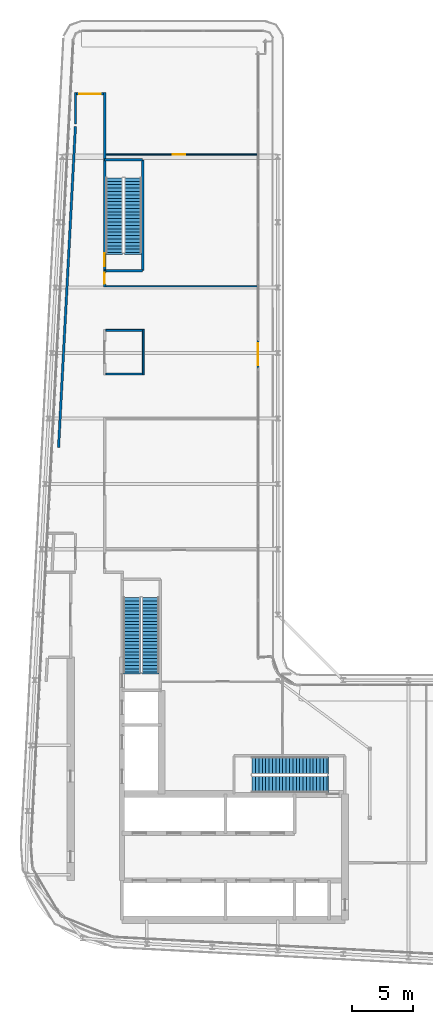
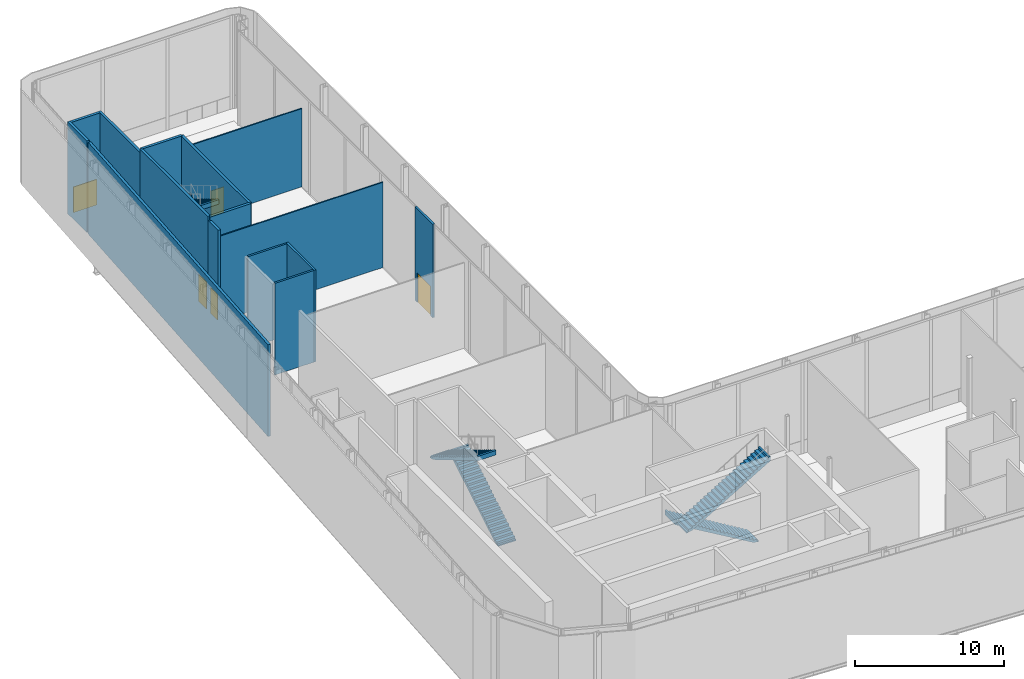
# One storey, part 22 of 27: 15 walls, 6 stair flights, 5 doors, 5 openings, 3 elements without a shape of their own.
"""IFC4 building model written with IfcOpenShell, lengths in metres."""

from ifc_helpers import new_model, si_unit, direction, frame, frame_2d, origin, place, context, subcontext, project, spatial, polyline, rectangle, outline, extrude, source, transform, mapped, material, layer, layer_set, type_object, element, fill, aggregate, save


model = new_model("IFC4")

# Units and contexts
model_context = context("Model", 3, precision=1e-05, world=origin(), true_north=direction((0.0, 1.0)))
body_context = subcontext(model_context, "Body", "Model", "MODEL_VIEW")
ifc_project = project(units=[si_unit("LENGTHUNIT", "METRE"), si_unit("AREAUNIT", "SQUARE_METRE"), si_unit("VOLUMEUNIT", "CUBIC_METRE"), si_unit("PLANEANGLEUNIT", "RADIAN"), si_unit("MASSUNIT", "GRAM", prefix="KILO")], contexts=[model_context])

# Site, building, storey
site_placement = place(None, origin())
site = spatial("IfcSite", under=ifc_project, at=site_placement, CompositionType="ELEMENT")
building_placement = place(site_placement, origin())
building = spatial("IfcBuilding", under=site, at=building_placement, Name="Kheshtan School and Residences Tower", CompositionType="ELEMENT")
storey_placement = place(building_placement, frame((0.0, 0.0, 266.89990234375)))
storey = spatial("IfcBuildingStorey", under=building, at=storey_placement, Name="L63", CompositionType="ELEMENT", Elevation=266.89990234375)

# Walls
ifc_material_1 = material(Name="Gypsum board on steel studs with fire boards", Category="steel")
ifc_layer_1 = layer(ifc_material_1, 0.199951171875)
ifc_layer_set_1 = layer_set([ifc_layer_1], Name="Corridor wall 200")
wall_type_1 = type_object("IfcWallType", Name="Corridor wall 200", PredefinedType="PARTITIONING", material=ifc_layer_set_1)
wall_1_placement = place(storey_placement, frame((29.5009765625, 64.800048828125, 0.0), z_axis=(0.0, 0.0, 1.0), x_axis=(0.052619165502, 0.998614652117, 0.0)))
element("IfcWall", 1, at=wall_1_placement, inside=storey, type_object=wall_type_1, Name="Partition L63-005", PredefinedType="PARTITIONING", context=body_context, shape_type="SweptSolid", body=[
    extrude(rectangle(XDim=26.548828125, YDim=0.199951171875, at=frame_2d((13.2744140625, 0.0))), origin(), (0.0, 0.0, 1.0), 7.5),
])
wall_2_placement = place(storey_placement, frame((30.89990234375, 91.511962890625, 0.0), z_axis=(0.0, 0.0, 1.0), x_axis=(0.0, 1.0, 0.0)))
element("IfcWall", 2, at=wall_2_placement, inside=storey, type_object=wall_type_1, Name="Partition L63-007", PredefinedType="PARTITIONING", context=body_context, shape_type="SweptSolid", body=[
    extrude(rectangle(XDim=2.588134765625, YDim=0.199951171875, at=frame_2d((1.2939453125, 0.0))), origin(), (0.0, 0.0, 1.0), 7.5),
])

# Wall, opening, door
wall_3_placement = place(storey_placement, frame((31.0, 94.0, 0.0), z_axis=(0.0, 0.0, 1.0), x_axis=(1.0, 0.0, 0.0)))
wall_3 = element("IfcWall", 3, at=wall_3_placement, inside=storey, type_object=wall_type_1, Name="Partition L63-008", PredefinedType="PARTITIONING", context=body_context, shape_type="SweptSolid", body=[
    extrude(rectangle(XDim=2.199951171875, YDim=0.199951171875, at=frame_2d((1.10009765625, 0.0))), origin(), (0.0, 0.0, 1.0), 7.5),
])
opening_1_placement = place(wall_3_placement, frame((0.197998046875, 0.0, 0.0)))
opening_1 = element("IfcOpeningElement", 4, at=opening_1_placement, cuts=wall_3, Name="Opening D63-010", PredefinedType="OPENING", context=body_context, shape_type="SweptSolid", body=[
    extrude(rectangle(XDim=1.800048828125, YDim=2.10009765625, at=frame_2d((0.89990234375, 1.050048828125))), frame((0.0, 0.10986328125, 0.0), z_axis=(0.0, -1.0, 0.0), x_axis=(1.0, 0.0, 0.0)), (0.0, 0.0, 1.0), 0.219970703125),
])
ifc_material_2 = material(Name="Steel-framed fire-resisting door leaf", Category="steel")
door_type_1 = type_object("IfcDoorType", Name="Fire double door FD60 1800 x 2100", OperationType="DOUBLE_DOOR_SINGLE_SWING", PredefinedType="DOOR", material=ifc_material_2)
shared_shape_1 = source(origin(), body_context, "Body", "SweptSolid", [
    extrude(rectangle(XDim=1.800048828125, YDim=2.10009765625, at=frame_2d((0.89990234375, 1.050048828125))), frame((0.0, 0.02490234375, 0.0), z_axis=(0.0, -1.0, 0.0), x_axis=(1.0, 0.0, 0.0)), (0.0, 0.0, 1.0), 0.050048828125),
])
door_1_placement = place(opening_1_placement, origin())
door_1 = element("IfcDoor", 5, at=door_1_placement, inside=storey, type_object=door_type_1, Name="Door D63-010", OperationType="DOUBLE_DOOR_SINGLE_SWING", OverallHeight=2.10009765625, OverallWidth=1.800048828125, PredefinedType="DOOR", context=body_context, shape_type="MappedRepresentation", body=[
    mapped(shared_shape_1, transform((0.0, 0.0, 0.0), x_axis=(1.0, 0.0, 0.0), y_axis=(0.0, 1.0, 0.0), z_axis=(0.0, 0.0, 1.0), scale=1.0)),
])
fill(opening_1, door_1)

wall_4_placement = place(storey_placement, frame((33.300048828125, 78.06201171875, 0.0), z_axis=(0.0, 0.0, 1.0), x_axis=(0.0, 1.0, 0.0)))
wall_4 = element("IfcWall", 6, at=wall_4_placement, inside=storey, type_object=wall_type_1, Name="Partition L63-011", PredefinedType="PARTITIONING", context=body_context, shape_type="SweptSolid", body=[
    extrude(rectangle(XDim=1.337890625, YDim=0.199951171875, at=frame_2d((0.6689453125, 0.0))), origin(), (0.0, 0.0, 1.0), 7.5),
])
opening_2_placement = place(wall_4_placement, frame((0.25, 0.0, 0.0)))
opening_2 = element("IfcOpeningElement", 7, at=opening_2_placement, cuts=wall_4, Name="Opening D63-012", PredefinedType="OPENING", context=body_context, shape_type="SweptSolid", body=[
    extrude(rectangle(XDim=0.89990234375, YDim=2.10009765625, at=frame_2d((0.449951171875, 1.050048828125))), frame((0.0, 0.10986328125, 0.0), z_axis=(0.0, -1.0, 0.0), x_axis=(1.0, 0.0, 0.0)), (0.0, 0.0, 1.0), 0.219970703125),
])
door_type_2 = type_object("IfcDoorType", Name="Fire door FD60 900 x 2100", OperationType="SINGLE_SWING_LEFT", PredefinedType="DOOR", material=ifc_material_2)
shared_shape_2 = source(origin(), body_context, "Body", "SweptSolid", [
    extrude(rectangle(XDim=0.89990234375, YDim=2.10009765625, at=frame_2d((0.449951171875, 1.050048828125))), frame((0.0, 0.02490234375, 0.0), z_axis=(0.0, -1.0, 0.0), x_axis=(1.0, 0.0, 0.0)), (0.0, 0.0, 1.0), 0.050048828125),
])
door_2_placement = place(opening_2_placement, origin())
door_2 = element("IfcDoor", 8, at=door_2_placement, inside=storey, type_object=door_type_2, Name="Door D63-012", OperationType="SINGLE_SWING_LEFT", OverallHeight=2.10009765625, OverallWidth=0.89990234375, PredefinedType="DOOR", context=body_context, shape_type="MappedRepresentation", body=[
    mapped(shared_shape_2, transform((0.0, 0.0, 0.0), x_axis=(1.0, 0.0, 0.0), y_axis=(0.0, 1.0, 0.0), z_axis=(0.0, 0.0, 1.0), scale=1.0)),
])
fill(opening_2, door_2)

# Wall
wall_5_placement = place(storey_placement, frame((33.300048828125, 88.56005859375, 0.0), z_axis=(0.0, 0.0, 1.0), x_axis=(0.0, 1.0, 0.0)))
element("IfcWall", 9, at=wall_5_placement, inside=storey, type_object=wall_type_1, Name="Partition L63-012", PredefinedType="PARTITIONING", context=body_context, shape_type="SweptSolid", body=[
    extrude(rectangle(XDim=5.5400390625, YDim=0.199951171875, at=frame_2d((2.77001953125, 0.0))), origin(), (0.0, 0.0, 1.0), 7.5),
])

# Wall, opening, door
ifc_material_3 = material(Name="Aluminium frame wall with insulated infill", Category="aluminium")
ifc_layer_2 = layer(ifc_material_3, 0.14990234375)
ifc_layer_set_2 = layer_set([ifc_layer_2], Name="Glazing frame wall 150")
wall_type_2 = type_object("IfcWallType", Name="Glazing frame wall 150", PredefinedType="SOLIDWALL", material=ifc_layer_set_2)
wall_6_placement = place(storey_placement, frame((45.97509765625, 73.699951171875, 0.0), z_axis=(0.0, 0.0, 1.0), x_axis=(0.0, -1.0, 0.0)))
wall_6 = element("IfcWall", 10, at=wall_6_placement, inside=storey, type_object=wall_type_2, Name="Terrace door wall L63 19", PredefinedType="SOLIDWALL", context=body_context, shape_type="SweptSolid", body=[
    extrude(rectangle(XDim=2.39990234375, YDim=0.14990234375, at=frame_2d((1.199951171875, 0.0))), origin(), (0.0, 0.0, 1.0), 7.650146484375),
])
opening_3_placement = place(wall_6_placement, frame((0.300048828125, 0.0, 0.0)))
opening_3 = element("IfcOpeningElement", 11, at=opening_3_placement, cuts=wall_6, Name="Opening BD", PredefinedType="OPENING", context=body_context, shape_type="SweptSolid", body=[
    extrude(rectangle(XDim=1.800048828125, YDim=2.39990234375, at=frame_2d((0.89990234375, 1.199951171875))), frame((0.0, 0.0849609375, 0.0), z_axis=(0.0, -1.0, 0.0), x_axis=(1.0, 0.0, 0.0)), (0.0, 0.0, 1.0), 0.169921875),
])
ifc_material_4 = material(Name="Clear low-e glass in thermally broken aluminium frame", Category="aluminium")
door_type_3 = type_object("IfcDoorType", Name="Balcony sliding door", OperationType="SLIDING_TO_LEFT", PredefinedType="DOOR", material=ifc_material_4)
shared_shape_3 = source(origin(), body_context, "Body", "SweptSolid", [
    extrude(rectangle(XDim=1.800048828125, YDim=2.39990234375, at=frame_2d((0.89990234375, 1.199951171875))), frame((0.0, 0.02490234375, 0.0), z_axis=(0.0, -1.0, 0.0), x_axis=(1.0, 0.0, 0.0)), (0.0, 0.0, 1.0), 0.050048828125),
])
door_3_placement = place(opening_3_placement, origin())
door_3 = element("IfcDoor", 12, at=door_3_placement, inside=storey, type_object=door_type_3, Name="Terrace door L63 19", OperationType="SLIDING_TO_LEFT", OverallHeight=2.39990234375, OverallWidth=1.800048828125, PredefinedType="DOOR", context=body_context, shape_type="MappedRepresentation", body=[
    mapped(shared_shape_3, transform((0.0, 0.0, 0.0), x_axis=(1.0, 0.0, 0.0), y_axis=(0.0, 1.0, 0.0), z_axis=(0.0, 0.0, 1.0), scale=1.0)),
])
fill(opening_3, door_3)

# Wall
ifc_material_5 = material(Name="Gypsum board on steel studs", Category="steel")
ifc_layer_3 = layer(ifc_material_5, 0.10009765625)
ifc_layer_set_3 = layer_set([ifc_layer_3], Name="Gypsum partition 100")
wall_type_3 = type_object("IfcWallType", Name="Gypsum partition 100", PredefinedType="PARTITIONING", material=ifc_layer_set_3)
wall_7_placement = place(storey_placement, frame((33.39990234375, 78.112060546875, 0.0), z_axis=(0.0, 0.0, 1.0), x_axis=(1.0, 0.0, 0.0)))
element("IfcWall", 13, at=wall_7_placement, inside=storey, type_object=wall_type_3, Name="Partition L63-018", PredefinedType="PARTITIONING", context=body_context, shape_type="SweptSolid", body=[
    extrude(rectangle(XDim=12.570068359375, YDim=0.10009765625, at=frame_2d((6.28515625, 0.0))), origin(), (0.0, 0.0, 1.0), 6.97216796875),
])

# Wall, opening, door
wall_8_placement = place(storey_placement, frame((33.39990234375, 88.990966796875, 0.0), z_axis=(0.0, 0.0, 1.0), x_axis=(1.0, 0.0, 0.0)))
wall_8 = element("IfcWall", 14, at=wall_8_placement, inside=storey, type_object=wall_type_3, Name="Partition L63-019", PredefinedType="PARTITIONING", context=body_context, shape_type="SweptSolid", body=[
    extrude(rectangle(XDim=12.570068359375, YDim=0.10009765625, at=frame_2d((6.28515625, 0.0))), origin(), (0.0, 0.0, 1.0), 6.400146484375),
])
opening_4_placement = place(wall_8_placement, frame((5.550048828125, 0.0, 0.0)))
opening_4 = element("IfcOpeningElement", 15, at=opening_4_placement, cuts=wall_8, Name="Opening D63-011", PredefinedType="OPENING", context=body_context, shape_type="SweptSolid", body=[
    extrude(rectangle(XDim=1.0, YDim=2.10009765625, at=frame_2d((0.5, 1.050048828125))), frame((0.0, 0.06005859375, 0.0), z_axis=(0.0, -1.0, 0.0), x_axis=(1.0, 0.0, 0.0)), (0.0, 0.0, 1.0), 0.1201171875),
])
ifc_material_6 = material(Name="Veneered timber door leaf", Category="wood")
door_type_4 = type_object("IfcDoorType", Name="Door 1000 x 2100", OperationType="SINGLE_SWING_LEFT", PredefinedType="DOOR", material=ifc_material_6)
shared_shape_4 = source(origin(), body_context, "Body", "SweptSolid", [
    extrude(rectangle(XDim=1.0, YDim=2.10009765625, at=frame_2d((0.5, 1.050048828125))), frame((0.0, 0.02490234375, 0.0), z_axis=(0.0, -1.0, 0.0), x_axis=(1.0, 0.0, 0.0)), (0.0, 0.0, 1.0), 0.050048828125),
])
door_4_placement = place(opening_4_placement, origin())
door_4 = element("IfcDoor", 16, at=door_4_placement, inside=storey, type_object=door_type_4, Name="Door D63-011", OperationType="SINGLE_SWING_LEFT", OverallHeight=2.10009765625, OverallWidth=1.0, PredefinedType="DOOR", context=body_context, shape_type="MappedRepresentation", body=[
    mapped(shared_shape_4, transform((0.0, 0.0, 0.0), x_axis=(1.0, 0.0, 0.0), y_axis=(0.0, 1.0, 0.0), z_axis=(0.0, 0.0, 1.0), scale=1.0)),
])
fill(opening_4, door_4)

# Walls
ifc_material_7 = material(Name="Concrete C40/50", Category="concrete")
ifc_layer_4 = layer(ifc_material_7, 0.199951171875)
ifc_layer_set_4 = layer_set([ifc_layer_4], Name="Stair enclosure wall 200 Concrete C40/50")
wall_type_4 = type_object("IfcWallType", Name="Stair enclosure wall 200 Concrete C40/50", PredefinedType="SHEAR", material=ifc_layer_set_4)
for number, where, z_axis, x_axis, name in (
    (17, (33.300048828125, 79.39990234375, 0.0), (0.0, 0.0, 1.0), (1.0, 0.0, 0.0), "Stair enclosure wall ST3"),
    (18, (33.300048828125, 88.56005859375, 0.0), (0.0, 0.0, 1.0), (1.0, 0.0, 0.0), "Stair enclosure wall ST3"),
):
    element("IfcWall", number, at=place(storey_placement, frame(where, z_axis=z_axis, x_axis=x_axis)), inside=storey, type_object=wall_type_4, Name=name, PredefinedType="SHEAR", context=body_context, shape_type="SweptSolid", body=[
        extrude(rectangle(XDim=3.14990234375, YDim=0.199951171875, at=frame_2d((1.574951171875, 0.0))), origin(), (0.0, 0.0, 1.0), 7.800048828125),
    ])

# Wall, opening, door
wall_9_placement = place(storey_placement, frame((33.300048828125, 79.39990234375, 0.0), z_axis=(0.0, 0.0, 1.0), x_axis=(0.0, 1.0, 0.0)))
wall_9 = element("IfcWall", 19, at=wall_9_placement, inside=storey, type_object=wall_type_4, Name="Stair enclosure wall ST3", PredefinedType="SHEAR", context=body_context, shape_type="SweptSolid", body=[
    extrude(rectangle(XDim=9.16015625, YDim=0.199951171875, at=frame_2d((4.580078125, 0.0))), origin(), (0.0, 0.0, 1.0), 7.800048828125),
])
opening_5_placement = place(wall_9_placement, frame((0.35009765625, 0.0, 0.0)))
opening_5 = element("IfcOpeningElement", 20, at=opening_5_placement, cuts=wall_9, Name="Opening ST3D", PredefinedType="OPENING", context=body_context, shape_type="SweptSolid", body=[
    extrude(rectangle(XDim=1.10009765625, YDim=2.199951171875, at=frame_2d((0.550048828125, 1.10009765625))), frame((0.0, 0.10986328125, 0.0), z_axis=(0.0, -1.0, 0.0), x_axis=(1.0, 0.0, 0.0)), (0.0, 0.0, 1.0), 0.219970703125),
])
ifc_material_8 = material(Name="Steel door leaf, galvanised", Category="steel")
door_type_5 = type_object("IfcDoorType", Name="Stair door 1100 steel 90 min", OperationType="SINGLE_SWING_LEFT", PredefinedType="DOOR", material=ifc_material_8)
shared_shape_5 = source(origin(), body_context, "Body", "SweptSolid", [
    extrude(rectangle(XDim=1.10009765625, YDim=2.199951171875, at=frame_2d((0.550048828125, 1.10009765625))), frame((0.0, 0.02490234375, 0.0), z_axis=(0.0, -1.0, 0.0), x_axis=(1.0, 0.0, 0.0)), (0.0, 0.0, 1.0), 0.050048828125),
])
door_5_placement = place(opening_5_placement, origin())
door_5 = element("IfcDoor", 21, at=door_5_placement, inside=storey, type_object=door_type_5, Name="Stair ST3 door", OperationType="SINGLE_SWING_RIGHT", OverallHeight=2.199951171875, OverallWidth=1.10009765625, PredefinedType="DOOR", context=body_context, shape_type="MappedRepresentation", body=[
    mapped(shared_shape_5, transform((0.0, 0.0, 0.0), x_axis=(1.0, 0.0, 0.0), y_axis=(0.0, 1.0, 0.0), z_axis=(0.0, 0.0, 1.0), scale=1.0)),
])
fill(opening_5, door_5)

# Walls
wall_10_placement = place(storey_placement, frame((36.449951171875, 79.39990234375, 0.0), z_axis=(0.0, 0.0, 1.0), x_axis=(0.0, 1.0, 0.0)))
element("IfcWall", 22, at=wall_10_placement, inside=storey, type_object=wall_type_4, Name="Stair enclosure wall ST3", PredefinedType="SHEAR", context=body_context, shape_type="SweptSolid", body=[
    extrude(rectangle(XDim=9.16015625, YDim=0.199951171875, at=frame_2d((4.580078125, 0.0))), origin(), (0.0, 0.0, 1.0), 7.800048828125),
])
ifc_material_9 = material(Name="Moisture-resistant gypsum board on steel studs", Category="steel")
ifc_layer_5 = layer(ifc_material_9, 0.14990234375)
ifc_layer_set_5 = layer_set([ifc_layer_5], Name="Wet-room partition 150")
wall_type_5 = type_object("IfcWallType", Name="Wet-room partition 150", PredefinedType="PARTITIONING", material=ifc_layer_set_5)
for number, where, z_axis, x_axis, name in (
    (23, (33.39990234375, 70.8720703125, 0.0), (0.0, 0.0, 1.0), (1.0, 0.0, 0.0), "Partition L63-016"),
    (24, (33.39990234375, 74.471923828125, 0.0), (0.0, 0.0, 1.0), (1.0, 0.0, 0.0), "Partition L63-017"),
):
    element("IfcWall", number, at=place(storey_placement, frame(where, z_axis=z_axis, x_axis=x_axis)), inside=storey, type_object=wall_type_5, Name=name, PredefinedType="PARTITIONING", context=body_context, shape_type="SweptSolid", body=[
        extrude(rectangle(XDim=3.025146484375, YDim=0.14990234375, at=frame_2d((1.5126953125, 0.0))), origin(), (0.0, 0.0, 1.0), 7.5),
    ])
wall_11_placement = place(storey_placement, frame((36.5, 70.797119140625, 0.0), z_axis=(0.0, 0.0, 1.0), x_axis=(0.0, 1.0, 0.0)))
element("IfcWall", 25, at=wall_11_placement, inside=storey, type_object=wall_type_5, Name="Partition L63-021", PredefinedType="PARTITIONING", context=body_context, shape_type="SweptSolid", body=[
    extrude(rectangle(XDim=3.75, YDim=0.14990234375, at=frame_2d((1.875, 0.0))), origin(), (0.0, 0.0, 1.0), 7.5),
])

# Stair, stair flights
stair_type = type_object("IfcStairType", Name="Exit stair, half-turn", PredefinedType="HALF_TURN_STAIR", material=ifc_material_7)
stair_1_placement = place(storey_placement, origin())
stair_1 = element("IfcStair", 26, at=stair_1_placement, inside=storey, type_object=stair_type, Name="L63 Protected Exit Stair ST1", PredefinedType="HALF_TURN_STAIR")
ifc_layer_6 = layer(ifc_material_7, 0.14990234375)
ifc_layer_set_6 = layer_set([ifc_layer_6], Name="Stair flight 1400 Concrete C40/50")
stair_flight_type = type_object("IfcStairFlightType", Name="Stair flight 1400 Concrete C40/50", PredefinedType="STRAIGHT", material=ifc_layer_set_6)
stair_flight_1_placement = place(storey_placement, frame((51.64990234375, 38.550048828125, 0.0), z_axis=(0.0, 0.0, 1.0), x_axis=(-1.0, 0.0, 0.0)))
stair_flight_1 = element("IfcStairFlight", 27, at=stair_flight_1_placement, type_object=stair_flight_type, Name="ST1 flight 1", NumberOfRisers=23, NumberOfTreads=22, PredefinedType="STRAIGHT", RiserHeight=0.169565217, TreadLength=0.28, context=body_context, shape_type="SweptSolid", body=[
    extrude(outline(polyline([(-0.14990234375, -0.10009765625), (-0.14990234375, 0.0), (0.0, 0.0), (0.0, 0.169677734375), (0.280029296875, 0.169677734375), (0.280029296875, 0.339111328125), (0.56005859375, 0.339111328125), (0.56005859375, 0.5087890625), (0.840087890625, 0.5087890625), (0.840087890625, 0.67822265625), (1.1201171875, 0.67822265625), (1.1201171875, 0.847900390625), (1.39990234375, 0.847900390625), (1.39990234375, 1.017333984375), (1.679931640625, 1.017333984375), (1.679931640625, 1.18701171875), (1.9599609375, 1.18701171875), (1.9599609375, 1.3564453125), (2.239990234375, 1.3564453125), (2.239990234375, 1.526123046875), (2.52001953125, 1.526123046875), (2.52001953125, 1.695556640625), (2.800048828125, 1.695556640625), (2.800048828125, 1.865234375), (3.080078125, 1.865234375), (3.080078125, 2.03466796875), (3.360107421875, 2.03466796875), (3.360107421875, 2.204345703125), (3.639892578125, 2.204345703125), (3.639892578125, 2.3740234375), (3.919921875, 2.3740234375), (3.919921875, 2.54345703125), (4.199951171875, 2.54345703125), (4.199951171875, 2.713134765625), (4.47998046875, 2.713134765625), (4.47998046875, 2.882568359375), (4.760009765625, 2.882568359375), (4.760009765625, 3.05224609375), (5.0400390625, 3.05224609375), (5.0400390625, 3.2216796875), (5.320068359375, 3.2216796875), (5.320068359375, 3.391357421875), (5.60009765625, 3.391357421875), (5.60009765625, 3.560791015625), (5.8798828125, 3.560791015625), (5.8798828125, 3.73046875), (6.159912109375, 3.73046875), (6.159912109375, 3.89990234375), (6.159912109375, 3.919921875), (6.309814453125, 3.919921875), (6.309814453125, 3.55517578125), (0.289306640625, 0.0), (-0.14990234375, -0.10009765625)])), frame((0.0, 0.699951171875, 0.0), z_axis=(0.0, -1.0, 0.0), x_axis=(1.0, 0.0, 0.0)), (0.0, 0.0, 1.0), 1.39990234375),
])
stair_flight_2_placement = place(storey_placement, frame((45.489990234375, 37.0, 3.900146484375), z_axis=(0.0, 0.0, 1.0), x_axis=(1.0, 0.0, 0.0)))
stair_flight_2 = element("IfcStairFlight", 28, at=stair_flight_2_placement, type_object=stair_flight_type, Name="ST1 flight 2", NumberOfRisers=23, NumberOfTreads=22, PredefinedType="STRAIGHT", RiserHeight=0.169565217, TreadLength=0.28, context=body_context, shape_type="SweptSolid", body=[
    extrude(outline(polyline([(-0.14990234375, -0.10009765625), (-0.14990234375, 0.0), (0.0, 0.0), (0.0, 0.169677734375), (0.280029296875, 0.169677734375), (0.280029296875, 0.339111328125), (0.56005859375, 0.339111328125), (0.56005859375, 0.5087890625), (0.840087890625, 0.5087890625), (0.840087890625, 0.67822265625), (1.1201171875, 0.67822265625), (1.1201171875, 0.847900390625), (1.39990234375, 0.847900390625), (1.39990234375, 1.017333984375), (1.679931640625, 1.017333984375), (1.679931640625, 1.18701171875), (1.9599609375, 1.18701171875), (1.9599609375, 1.3564453125), (2.239990234375, 1.3564453125), (2.239990234375, 1.526123046875), (2.52001953125, 1.526123046875), (2.52001953125, 1.695556640625), (2.800048828125, 1.695556640625), (2.800048828125, 1.865234375), (3.080078125, 1.865234375), (3.080078125, 2.03466796875), (3.360107421875, 2.03466796875), (3.360107421875, 2.204345703125), (3.639892578125, 2.204345703125), (3.639892578125, 2.3740234375), (3.919921875, 2.3740234375), (3.919921875, 2.54345703125), (4.199951171875, 2.54345703125), (4.199951171875, 2.713134765625), (4.47998046875, 2.713134765625), (4.47998046875, 2.882568359375), (4.760009765625, 2.882568359375), (4.760009765625, 3.05224609375), (5.0400390625, 3.05224609375), (5.0400390625, 3.2216796875), (5.320068359375, 3.2216796875), (5.320068359375, 3.391357421875), (5.60009765625, 3.391357421875), (5.60009765625, 3.560791015625), (5.8798828125, 3.560791015625), (5.8798828125, 3.73046875), (6.159912109375, 3.73046875), (6.159912109375, 3.89990234375), (6.159912109375, 3.919921875), (6.309814453125, 3.919921875), (6.309814453125, 3.55517578125), (0.289306640625, 0.0), (-0.14990234375, -0.10009765625)])), frame((0.0, 0.699951171875, 0.0), z_axis=(0.0, -1.0, 0.0), x_axis=(1.0, 0.0, 0.0)), (0.0, 0.0, 1.0), 1.39990234375),
])
aggregate(stair_1, [stair_flight_1, stair_flight_2])

stair_2_placement = place(storey_placement, origin())
stair_2 = element("IfcStair", 29, at=stair_2_placement, inside=storey, type_object=stair_type, Name="L63 Protected Exit Stair ST2", PredefinedType="HALF_TURN_STAIR")
stair_flight_3_placement = place(storey_placement, frame((37.10009765625, 46.25, 0.0), z_axis=(0.0, 0.0, 1.0), x_axis=(0.0, 1.0, 0.0)))
stair_flight_3 = element("IfcStairFlight", 30, at=stair_flight_3_placement, type_object=stair_flight_type, Name="ST2 flight 1", NumberOfRisers=23, NumberOfTreads=22, PredefinedType="STRAIGHT", RiserHeight=0.169565217, TreadLength=0.28, context=body_context, shape_type="SweptSolid", body=[
    extrude(outline(polyline([(-0.14990234375, -0.10009765625), (-0.14990234375, 0.0), (0.0, 0.0), (0.0, 0.169677734375), (0.280029296875, 0.169677734375), (0.280029296875, 0.339111328125), (0.56005859375, 0.339111328125), (0.56005859375, 0.5087890625), (0.840087890625, 0.5087890625), (0.840087890625, 0.67822265625), (1.1201171875, 0.67822265625), (1.1201171875, 0.847900390625), (1.39990234375, 0.847900390625), (1.39990234375, 1.017333984375), (1.679931640625, 1.017333984375), (1.679931640625, 1.18701171875), (1.9599609375, 1.18701171875), (1.9599609375, 1.3564453125), (2.239990234375, 1.3564453125), (2.239990234375, 1.526123046875), (2.52001953125, 1.526123046875), (2.52001953125, 1.695556640625), (2.800048828125, 1.695556640625), (2.800048828125, 1.865234375), (3.080078125, 1.865234375), (3.080078125, 2.03466796875), (3.360107421875, 2.03466796875), (3.360107421875, 2.204345703125), (3.639892578125, 2.204345703125), (3.639892578125, 2.3740234375), (3.919921875, 2.3740234375), (3.919921875, 2.54345703125), (4.199951171875, 2.54345703125), (4.199951171875, 2.713134765625), (4.47998046875, 2.713134765625), (4.47998046875, 2.882568359375), (4.760009765625, 2.882568359375), (4.760009765625, 3.05224609375), (5.0400390625, 3.05224609375), (5.0400390625, 3.2216796875), (5.320068359375, 3.2216796875), (5.320068359375, 3.391357421875), (5.60009765625, 3.391357421875), (5.60009765625, 3.560791015625), (5.8798828125, 3.560791015625), (5.8798828125, 3.73046875), (6.159912109375, 3.73046875), (6.159912109375, 3.89990234375), (6.159912109375, 3.919921875), (6.309814453125, 3.919921875), (6.309814453125, 3.55517578125), (0.289306640625, 0.0), (-0.14990234375, -0.10009765625)])), frame((0.0, 0.699951171875, 0.0), z_axis=(0.0, -1.0, 0.0), x_axis=(1.0, 0.0, 0.0)), (0.0, 0.0, 1.0), 1.39990234375),
])
stair_flight_4_placement = place(storey_placement, frame((35.550048828125, 52.409912109375, 3.900146484375), z_axis=(0.0, 0.0, 1.0), x_axis=(0.0, -1.0, 0.0)))
stair_flight_4 = element("IfcStairFlight", 31, at=stair_flight_4_placement, type_object=stair_flight_type, Name="ST2 flight 2", NumberOfRisers=23, NumberOfTreads=22, PredefinedType="STRAIGHT", RiserHeight=0.169565217, TreadLength=0.28, context=body_context, shape_type="SweptSolid", body=[
    extrude(outline(polyline([(-0.14990234375, -0.10009765625), (-0.14990234375, 0.0), (0.0, 0.0), (0.0, 0.169677734375), (0.280029296875, 0.169677734375), (0.280029296875, 0.339111328125), (0.56005859375, 0.339111328125), (0.56005859375, 0.5087890625), (0.840087890625, 0.5087890625), (0.840087890625, 0.67822265625), (1.1201171875, 0.67822265625), (1.1201171875, 0.847900390625), (1.39990234375, 0.847900390625), (1.39990234375, 1.017333984375), (1.679931640625, 1.017333984375), (1.679931640625, 1.18701171875), (1.9599609375, 1.18701171875), (1.9599609375, 1.3564453125), (2.239990234375, 1.3564453125), (2.239990234375, 1.526123046875), (2.52001953125, 1.526123046875), (2.52001953125, 1.695556640625), (2.800048828125, 1.695556640625), (2.800048828125, 1.865234375), (3.080078125, 1.865234375), (3.080078125, 2.03466796875), (3.360107421875, 2.03466796875), (3.360107421875, 2.204345703125), (3.639892578125, 2.204345703125), (3.639892578125, 2.3740234375), (3.919921875, 2.3740234375), (3.919921875, 2.54345703125), (4.199951171875, 2.54345703125), (4.199951171875, 2.713134765625), (4.47998046875, 2.713134765625), (4.47998046875, 2.882568359375), (4.760009765625, 2.882568359375), (4.760009765625, 3.05224609375), (5.0400390625, 3.05224609375), (5.0400390625, 3.2216796875), (5.320068359375, 3.2216796875), (5.320068359375, 3.391357421875), (5.60009765625, 3.391357421875), (5.60009765625, 3.560791015625), (5.8798828125, 3.560791015625), (5.8798828125, 3.73046875), (6.159912109375, 3.73046875), (6.159912109375, 3.89990234375), (6.159912109375, 3.919921875), (6.309814453125, 3.919921875), (6.309814453125, 3.55517578125), (0.289306640625, 0.0), (-0.14990234375, -0.10009765625)])), frame((0.0, 0.699951171875, 0.0), z_axis=(0.0, -1.0, 0.0), x_axis=(1.0, 0.0, 0.0)), (0.0, 0.0, 1.0), 1.39990234375),
])
aggregate(stair_2, [stair_flight_3, stair_flight_4])

stair_3_placement = place(storey_placement, origin())
stair_3 = element("IfcStair", 32, at=stair_3_placement, inside=storey, type_object=stair_type, Name="L63 Protected Exit Stair ST3", PredefinedType="HALF_TURN_STAIR")
stair_flight_5_placement = place(storey_placement, frame((35.64990234375, 80.89990234375, 0.0), z_axis=(0.0, 0.0, 1.0), x_axis=(0.0, 1.0, 0.0)))
stair_flight_5 = element("IfcStairFlight", 33, at=stair_flight_5_placement, type_object=stair_flight_type, Name="ST3 flight 1", NumberOfRisers=23, NumberOfTreads=22, PredefinedType="STRAIGHT", RiserHeight=0.169565217, TreadLength=0.28, context=body_context, shape_type="SweptSolid", body=[
    extrude(outline(polyline([(-0.14990234375, -0.10009765625), (-0.14990234375, 0.0), (0.0, 0.0), (0.0, 0.169677734375), (0.280029296875, 0.169677734375), (0.280029296875, 0.339111328125), (0.56005859375, 0.339111328125), (0.56005859375, 0.5087890625), (0.840087890625, 0.5087890625), (0.840087890625, 0.67822265625), (1.1201171875, 0.67822265625), (1.1201171875, 0.847900390625), (1.39990234375, 0.847900390625), (1.39990234375, 1.017333984375), (1.679931640625, 1.017333984375), (1.679931640625, 1.18701171875), (1.9599609375, 1.18701171875), (1.9599609375, 1.3564453125), (2.239990234375, 1.3564453125), (2.239990234375, 1.526123046875), (2.52001953125, 1.526123046875), (2.52001953125, 1.695556640625), (2.800048828125, 1.695556640625), (2.800048828125, 1.865234375), (3.080078125, 1.865234375), (3.080078125, 2.03466796875), (3.360107421875, 2.03466796875), (3.360107421875, 2.204345703125), (3.639892578125, 2.204345703125), (3.639892578125, 2.3740234375), (3.919921875, 2.3740234375), (3.919921875, 2.54345703125), (4.199951171875, 2.54345703125), (4.199951171875, 2.713134765625), (4.47998046875, 2.713134765625), (4.47998046875, 2.882568359375), (4.760009765625, 2.882568359375), (4.760009765625, 3.05224609375), (5.0400390625, 3.05224609375), (5.0400390625, 3.2216796875), (5.320068359375, 3.2216796875), (5.320068359375, 3.391357421875), (5.60009765625, 3.391357421875), (5.60009765625, 3.560791015625), (5.8798828125, 3.560791015625), (5.8798828125, 3.73046875), (6.159912109375, 3.73046875), (6.159912109375, 3.89990234375), (6.159912109375, 3.919921875), (6.309814453125, 3.919921875), (6.309814453125, 3.55517578125), (0.289306640625, 0.0), (-0.14990234375, -0.10009765625)])), frame((0.0, 0.699951171875, 0.0), z_axis=(0.0, -1.0, 0.0), x_axis=(1.0, 0.0, 0.0)), (0.0, 0.0, 1.0), 1.39990234375),
])
stair_flight_6_placement = place(storey_placement, frame((34.10009765625, 87.06005859375, 3.900146484375), z_axis=(0.0, 0.0, 1.0), x_axis=(0.0, -1.0, 0.0)))
stair_flight_6 = element("IfcStairFlight", 34, at=stair_flight_6_placement, type_object=stair_flight_type, Name="ST3 flight 2", NumberOfRisers=23, NumberOfTreads=22, PredefinedType="STRAIGHT", RiserHeight=0.169565217, TreadLength=0.28, context=body_context, shape_type="SweptSolid", body=[
    extrude(outline(polyline([(-0.14990234375, -0.10009765625), (-0.14990234375, 0.0), (0.0, 0.0), (0.0, 0.169677734375), (0.280029296875, 0.169677734375), (0.280029296875, 0.339111328125), (0.56005859375, 0.339111328125), (0.56005859375, 0.5087890625), (0.840087890625, 0.5087890625), (0.840087890625, 0.67822265625), (1.1201171875, 0.67822265625), (1.1201171875, 0.847900390625), (1.39990234375, 0.847900390625), (1.39990234375, 1.017333984375), (1.679931640625, 1.017333984375), (1.679931640625, 1.18701171875), (1.9599609375, 1.18701171875), (1.9599609375, 1.3564453125), (2.239990234375, 1.3564453125), (2.239990234375, 1.526123046875), (2.52001953125, 1.526123046875), (2.52001953125, 1.695556640625), (2.800048828125, 1.695556640625), (2.800048828125, 1.865234375), (3.080078125, 1.865234375), (3.080078125, 2.03466796875), (3.360107421875, 2.03466796875), (3.360107421875, 2.204345703125), (3.639892578125, 2.204345703125), (3.639892578125, 2.3740234375), (3.919921875, 2.3740234375), (3.919921875, 2.54345703125), (4.199951171875, 2.54345703125), (4.199951171875, 2.713134765625), (4.47998046875, 2.713134765625), (4.47998046875, 2.882568359375), (4.760009765625, 2.882568359375), (4.760009765625, 3.05224609375), (5.0400390625, 3.05224609375), (5.0400390625, 3.2216796875), (5.320068359375, 3.2216796875), (5.320068359375, 3.391357421875), (5.60009765625, 3.391357421875), (5.60009765625, 3.560791015625), (5.8798828125, 3.560791015625), (5.8798828125, 3.73046875), (6.159912109375, 3.73046875), (6.159912109375, 3.89990234375), (6.159912109375, 3.919921875), (6.309814453125, 3.919921875), (6.309814453125, 3.55517578125), (0.289306640625, 0.0), (-0.14990234375, -0.10009765625)])), frame((0.0, 0.699951171875, 0.0), z_axis=(0.0, -1.0, 0.0), x_axis=(1.0, 0.0, 0.0)), (0.0, 0.0, 1.0), 1.39990234375),
])
aggregate(stair_3, [stair_flight_5, stair_flight_6])

save(model, "model.ifc")
